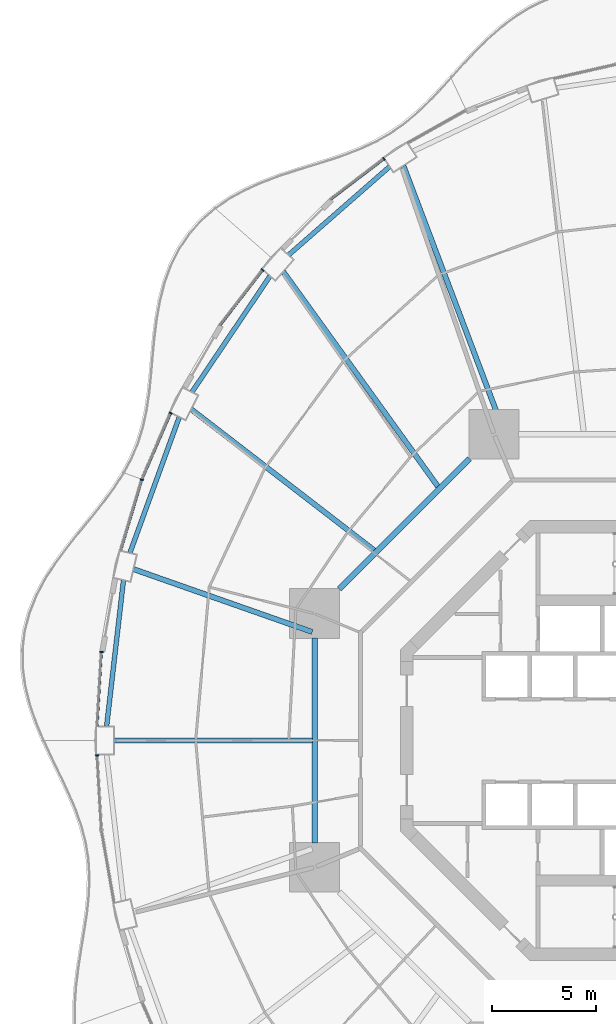
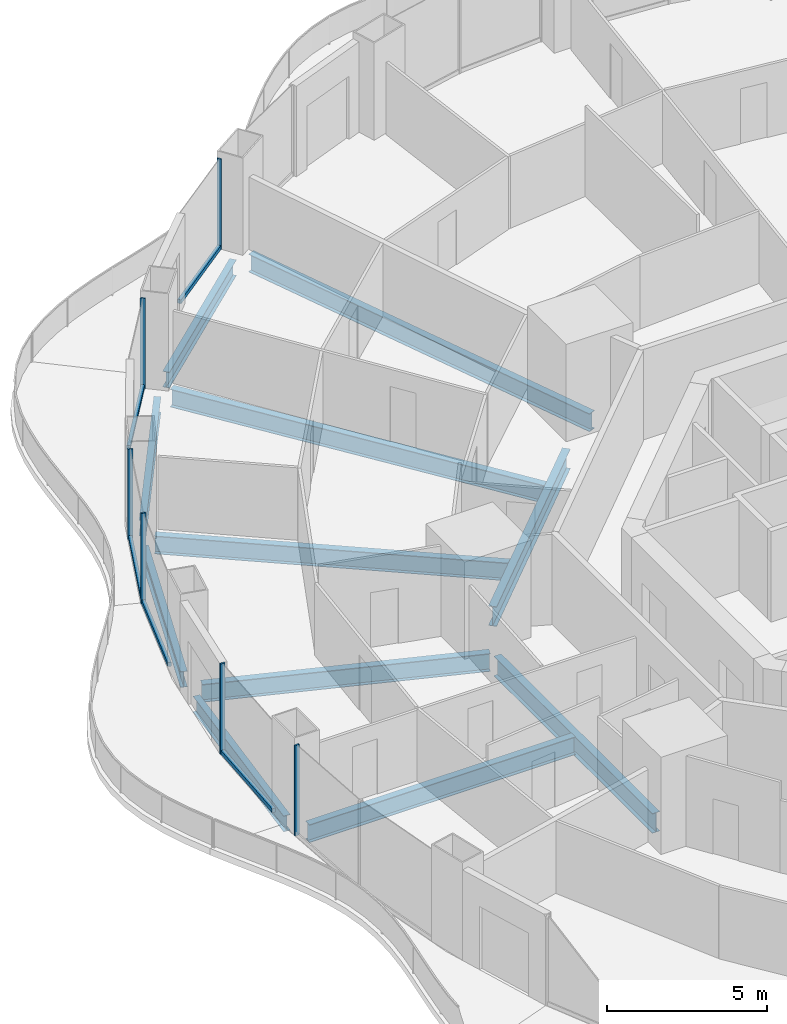
# One storey, part 6 of 21: 11 beams, 11 members, 6 elements without a shape of their own.
"""IFC4 building model written with IfcOpenShell, lengths in metres."""

from ifc_helpers import new_model, si_unit, direction, frame, origin, origin_2d, place, context, subcontext, project, spatial, rectangle, i_section, extrude, material, layer, layer_set, material_profile, profile_set, type_object, element, aggregate, save


model = new_model("IFC4")

# Units and contexts
model_context = context("Model", 3, precision=1e-05, world=origin(), true_north=direction((0.0, 1.0)))
body_context = subcontext(model_context, "Body", "Model", "MODEL_VIEW")
ifc_project = project(units=[si_unit("LENGTHUNIT", "METRE"), si_unit("AREAUNIT", "SQUARE_METRE"), si_unit("VOLUMEUNIT", "CUBIC_METRE"), si_unit("PLANEANGLEUNIT", "RADIAN"), si_unit("MASSUNIT", "GRAM", prefix="KILO")], contexts=[model_context])

# Site, building, storey
site_placement = place(None, origin())
site = spatial("IfcSite", under=ifc_project, at=site_placement, CompositionType="ELEMENT")
building_placement = place(site_placement, origin())
building = spatial("IfcBuilding", under=site, at=building_placement, Name="Nagisa Residences", CompositionType="ELEMENT")
storey_placement = place(building_placement, frame((0.0, 0.0, 60.300048828125)))
storey = spatial("IfcBuildingStorey", under=building, at=storey_placement, Name="L14", CompositionType="ELEMENT", Elevation=60.300048828125)

# Curtain wall, member
ifc_material_1 = material(Name="Concrete-coloured aluminium curtain wall system", Category="concrete")
ifc_layer = layer(ifc_material_1, 0.159912109375)
ifc_layer_set = layer_set([ifc_layer], Name="CW1 CURTAIN WALL")
curtain_wall_type = type_object("IfcCurtainWallType", Name="CW1 CURTAIN WALL", PredefinedType="NOTDEFINED", material=ifc_layer_set)
curtain_wall_1_placement = place(storey_placement, origin())
curtain_wall_1 = element("IfcCurtainWall", 1, at=curtain_wall_1_placement, inside=storey, type_object=curtain_wall_type, Name="cw:CW1:L14:16", PredefinedType="NOTDEFINED")
ifc_material_2 = material(Name="Concrete-coloured aluminium", Category="concrete")
ifc_material_profile_1 = material_profile(ifc_material_2, rectangle(XDim=0.159912109375, YDim=0.06005859375, at=origin_2d()), Name="CW1 MULLION 160x60")
ifc_profile_set_1 = profile_set([ifc_material_profile_1], Name="Concrete-coloured aluminium")
member_type_1 = type_object("IfcMemberType", Name="CW1 MULLION 160x60", PredefinedType="MULLION", material=ifc_profile_set_1)
member_1_placement = place(storey_placement, frame((-11.4326171875, 28.0732421875, 0.0), z_axis=(0.0, 0.0, 1.0), x_axis=(0.605255421737, -0.79603132756, 0.0)))
member_1 = element("IfcMember", 2, at=member_1_placement, type_object=member_type_1, Name="CW1 mullion", PredefinedType="MULLION", context=body_context, shape_type="SweptSolid", body=[
    extrude(rectangle(XDim=0.159912109375, YDim=0.06005859375, at=origin_2d()), origin(), (0.0, 0.0, 1.0), 3.43994140625),
])

curtain_wall_2_placement = place(storey_placement, origin())
curtain_wall_2 = element("IfcCurtainWall", 3, at=curtain_wall_2_placement, inside=storey, type_object=curtain_wall_type, Name="cw:CW1:L14:18", PredefinedType="NOTDEFINED")
member_2_placement = place(storey_placement, frame((-17.288330078125, 22.70751953125, 0.0), z_axis=(0.0, 0.0, 1.0), x_axis=(0.792070340816, -0.610429828235, 0.0)))
member_2 = element("IfcMember", 4, at=member_2_placement, type_object=member_type_1, Name="CW1 mullion", PredefinedType="MULLION", context=body_context, shape_type="SweptSolid", body=[
    extrude(rectangle(XDim=0.159912109375, YDim=0.06005859375, at=origin_2d()), origin(), (0.0, 0.0, 1.0), 3.43994140625),
])

curtain_wall_3_placement = place(storey_placement, origin())
curtain_wall_3 = element("IfcCurtainWall", 5, at=curtain_wall_3_placement, inside=storey, type_object=curtain_wall_type, Name="cw:CW1:L14:20", PredefinedType="NOTDEFINED")
member_3_placement = place(storey_placement, frame((-21.731689453125, 15.79833984375, 0.0), z_axis=(0.0, 0.0, 1.0), x_axis=(0.917543276295, -0.397635934147, 0.0)))
member_3 = element("IfcMember", 6, at=member_3_placement, type_object=member_type_1, Name="CW1 mullion", PredefinedType="MULLION", context=body_context, shape_type="SweptSolid", body=[
    extrude(rectangle(XDim=0.159912109375, YDim=0.06005859375, at=origin_2d()), origin(), (0.0, 0.0, 1.0), 3.43994140625),
])

curtain_wall_4_placement = place(storey_placement, origin())
curtain_wall_4 = element("IfcCurtainWall", 7, at=curtain_wall_4_placement, inside=storey, type_object=curtain_wall_type, Name="cw:CW1:L14:21", PredefinedType="NOTDEFINED")
member_4_placement = place(storey_placement, frame((-23.12451171875, 12.576904296875, 0.0), z_axis=(0.0, 0.0, 1.0), x_axis=(0.958271310082, -0.285860274038, 0.0)))
member_4 = element("IfcMember", 8, at=member_4_placement, type_object=member_type_1, Name="CW1 mullion", PredefinedType="MULLION", context=body_context, shape_type="SweptSolid", body=[
    extrude(rectangle(XDim=0.159912109375, YDim=0.06005859375, at=origin_2d()), origin(), (0.0, 0.0, 1.0), 3.43994140625),
])

curtain_wall_5_placement = place(storey_placement, origin())
curtain_wall_5 = element("IfcCurtainWall", 9, at=curtain_wall_5_placement, inside=storey, type_object=curtain_wall_type, Name="cw:CW1:L14:23", PredefinedType="NOTDEFINED")
member_5_placement = place(storey_placement, frame((-25.07373046875, 4.272705078125, 0.0), z_axis=(0.0, 0.0, 1.0), x_axis=(0.998345305184, -0.057503492216, 0.0)))
member_5 = element("IfcMember", 10, at=member_5_placement, type_object=member_type_1, Name="CW1 mullion", PredefinedType="MULLION", context=body_context, shape_type="SweptSolid", body=[
    extrude(rectangle(XDim=0.159912109375, YDim=0.06005859375, at=origin_2d()), origin(), (0.0, 0.0, 1.0), 3.43994140625),
])

curtain_wall_6_placement = place(storey_placement, origin())
curtain_wall_6 = element("IfcCurtainWall", 11, at=curtain_wall_6_placement, inside=storey, type_object=curtain_wall_type, Name="cw:CW1:L14:24", PredefinedType="NOTDEFINED")
member_6_placement = place(storey_placement, frame((-25.278076171875, -0.72412109375, 0.0), z_axis=(0.0, 0.0, 1.0), x_axis=(0.998345305184, 0.057503492216, 0.0)))
member_6 = element("IfcMember", 12, at=member_6_placement, type_object=member_type_1, Name="CW1 mullion", PredefinedType="MULLION", context=body_context, shape_type="SweptSolid", body=[
    extrude(rectangle(XDim=0.159912109375, YDim=0.06005859375, at=origin_2d()), origin(), (0.0, 0.0, 1.0), 3.43994140625),
])
aggregate(curtain_wall_6, [member_6])

# Member
ifc_material_3 = material(Name="Concrete-coloured aluminium", Category="concrete")
ifc_material_profile_2 = material_profile(ifc_material_3, rectangle(XDim=0.1201171875, YDim=0.14990234375, at=origin_2d()), Name="CW1 TRANSOM 120x150")
ifc_profile_set_2 = profile_set([ifc_material_profile_2], Name="Concrete-coloured aluminium")
member_type_2 = type_object("IfcMemberType", Name="CW1 TRANSOM 120x150", PredefinedType="USERDEFINED", material=ifc_profile_set_2)
member_7_placement = place(storey_placement, frame((-11.40869140625, 28.091552734375, 0.074951171875), z_axis=(-0.796022293214, -0.605267303517, 0.0), x_axis=(0.605267303517, -0.796022293214, 0.0)))
member_7 = element("IfcMember", 13, at=member_7_placement, type_object=member_type_2, Name="CW1 transom", ObjectType="TRANSOM", PredefinedType="USERDEFINED", context=body_context, shape_type="SweptSolid", body=[
    extrude(rectangle(XDim=0.1201171875, YDim=0.14990234375, at=origin_2d()), origin(), (0.0, 0.0, 1.0), 3.262451171875),
])

aggregate(curtain_wall_1, [member_1, member_7])

member_8_placement = place(storey_placement, frame((-17.27001953125, 22.731201171875, 0.074951171875), z_axis=(-0.610457147657, -0.792049285635, 0.0), x_axis=(0.792049285635, -0.610457147657, 0.0)))
member_8 = element("IfcMember", 14, at=member_8_placement, type_object=member_type_2, Name="CW1 transom", ObjectType="TRANSOM", PredefinedType="USERDEFINED", context=body_context, shape_type="SweptSolid", body=[
    extrude(rectangle(XDim=0.1201171875, YDim=0.14990234375, at=origin_2d()), origin(), (0.0, 0.0, 1.0), 3.3974609375),
])

aggregate(curtain_wall_2, [member_2, member_8])

member_9_placement = place(storey_placement, frame((-21.7197265625, 15.825927734375, 0.074951171875), z_axis=(-0.397624958345, -0.917548032803, 0.0), x_axis=(0.917548032803, -0.397624958345, 0.0)))
member_9 = element("IfcMember", 15, at=member_9_placement, type_object=member_type_2, Name="CW1 transom", ObjectType="TRANSOM", PredefinedType="USERDEFINED", context=body_context, shape_type="SweptSolid", body=[
    extrude(rectangle(XDim=0.1201171875, YDim=0.14990234375, at=origin_2d()), origin(), (0.0, 0.0, 1.0), 3.51953125),
])

aggregate(curtain_wall_3, [member_3, member_9])

member_10_placement = place(storey_placement, frame((-23.115966796875, 12.605712890625, 0.074951171875), z_axis=(-0.285808431121, -0.958286773727, 0.0), x_axis=(0.958286773727, -0.285808431121, 0.0)))
member_10 = element("IfcMember", 16, at=member_10_placement, type_object=member_type_2, Name="CW1 transom", ObjectType="TRANSOM", PredefinedType="USERDEFINED", context=body_context, shape_type="SweptSolid", body=[
    extrude(rectangle(XDim=0.1201171875, YDim=0.14990234375, at=origin_2d()), origin(), (0.0, 0.0, 1.0), 3.5654296875),
])

aggregate(curtain_wall_4, [member_4, member_10])

member_11_placement = place(storey_placement, frame((-25.072021484375, 4.302734375, 0.074951171875), z_axis=(-0.057482603412, -0.998346508135, 0.0), x_axis=(0.998346508135, -0.057482603412, 0.0)))
member_11 = element("IfcMember", 17, at=member_11_placement, type_object=member_type_2, Name="CW1 transom", ObjectType="TRANSOM", PredefinedType="USERDEFINED", context=body_context, shape_type="SweptSolid", body=[
    extrude(rectangle(XDim=0.1201171875, YDim=0.14990234375, at=origin_2d()), origin(), (0.0, 0.0, 1.0), 3.6142578125),
])

aggregate(curtain_wall_5, [member_5, member_11])

# Beams
ifc_material_4 = material(Name="Steel ASTM A572 Gr 50", Category="steel")
ifc_material_profile_3 = material_profile(ifc_material_4, i_section(OverallWidth=0.264892578125, OverallDepth=0.7529296875, WebThickness=0.01318359375, FlangeThickness=0.01708984375, at=origin_2d()), Name="W760x147")
ifc_profile_set_3 = profile_set([ifc_material_profile_3], Name="Steel ASTM A572 Gr 50")
beam_type_1 = type_object("IfcBeamType", Name="Inner ring beam W760x147", PredefinedType="BEAM", material=ifc_profile_set_3)
beam_1_placement = place(storey_placement, frame((-7.308837890625, 13.59619140625, -0.636474609375), z_axis=(-0.707106781187, -0.707106781187, 0.0), x_axis=(0.707106781187, -0.707106781187, 0.0)))
element("IfcBeam", 18, at=beam_1_placement, inside=storey, type_object=beam_type_1, Name="beam:L14:ib3", PredefinedType="BEAM", context=body_context, shape_type="SweptSolid", body=[
    extrude(i_section(OverallWidth=0.264892578125, OverallDepth=0.7529296875, WebThickness=0.01318359375, FlangeThickness=0.01708984375, at=origin_2d()), origin(), (0.0, 0.0, 1.0), 8.8916015625),
])
beam_2_placement = place(storey_placement, frame((-14.781982421875, 4.94287109375, -0.636474609375), z_axis=(0.0, -1.0, 0.0), x_axis=(1.0, 0.0, 0.0)))
element("IfcBeam", 19, at=beam_2_placement, inside=storey, type_object=beam_type_1, Name="beam:L14:ib4", PredefinedType="BEAM", context=body_context, shape_type="SweptSolid", body=[
    extrude(i_section(OverallWidth=0.264892578125, OverallDepth=0.7529296875, WebThickness=0.01318359375, FlangeThickness=0.01708984375, at=origin_2d()), origin(), (0.0, 0.0, 1.0), 9.8857421875),
])
ifc_material_5 = material(Name="Steel ASTM A572 Gr 50", Category="steel")
ifc_material_profile_4 = material_profile(ifc_material_5, i_section(OverallWidth=0.22802734375, OverallDepth=0.60302734375, WebThickness=0.010498046875, FlangeThickness=0.014892578125, at=origin_2d()), Name="W610x101")
ifc_profile_set_4 = profile_set([ifc_material_profile_4], Name="Steel ASTM A572 Gr 50")
beam_type_2 = type_object("IfcBeamType", Name="Perimeter ring beam W610x101", PredefinedType="BEAM", material=ifc_profile_set_4)
beam_3_placement = place(storey_placement, frame((-11.166748046875, 27.693603515625, -0.5615234375), z_axis=(-0.752574357292, -0.658507279191, 0.0), x_axis=(0.658507279191, -0.752574357292, 0.0)))
element("IfcBeam", 20, at=beam_3_placement, inside=storey, type_object=beam_type_2, Name="beam:L14:pb09", PredefinedType="BEAM", context=body_context, shape_type="SweptSolid", body=[
    extrude(i_section(OverallWidth=0.22802734375, OverallDepth=0.60302734375, WebThickness=0.010498046875, FlangeThickness=0.014892578125, at=origin_2d()), origin(), (0.0, 0.0, 1.0), 6.47021484375),
])
beam_4_placement = place(storey_placement, frame((-16.935302734375, 22.411865234375, -0.5615234375), z_axis=(-0.558296806041, -0.829641293792, 0.0), x_axis=(0.829641293792, -0.558296806041, 0.0)))
element("IfcBeam", 21, at=beam_4_placement, inside=storey, type_object=beam_type_2, Name="beam:L14:pb10", PredefinedType="BEAM", context=body_context, shape_type="SweptSolid", body=[
    extrude(i_section(OverallWidth=0.22802734375, OverallDepth=0.60302734375, WebThickness=0.010498046875, FlangeThickness=0.014892578125, at=origin_2d()), origin(), (0.0, 0.0, 1.0), 6.74169921875),
])
beam_5_placement = place(storey_placement, frame((-21.315673828125, 15.60595703125, -0.5615234375), z_axis=(-0.341411143183, -0.939914055279, 0.0), x_axis=(0.939914055279, -0.341411143183, 0.0)))
element("IfcBeam", 22, at=beam_5_placement, inside=storey, type_object=beam_type_2, Name="beam:L14:pb11", PredefinedType="BEAM", context=body_context, shape_type="SweptSolid", body=[
    extrude(i_section(OverallWidth=0.22802734375, OverallDepth=0.60302734375, WebThickness=0.010498046875, FlangeThickness=0.014892578125, at=origin_2d()), origin(), (0.0, 0.0, 1.0), 6.96923828125),
])
beam_6_placement = place(storey_placement, frame((-24.00732421875, 7.7314453125, -0.5615234375), z_axis=(-0.114707660057, -0.993399291687, 0.0), x_axis=(0.993399291687, -0.114707660057, 0.0)))
element("IfcBeam", 23, at=beam_6_placement, inside=storey, type_object=beam_type_2, Name="beam:L14:pb12", PredefinedType="BEAM", context=body_context, shape_type="SweptSolid", body=[
    extrude(i_section(OverallWidth=0.22802734375, OverallDepth=0.60302734375, WebThickness=0.010498046875, FlangeThickness=0.014892578125, at=origin_2d()), origin(), (0.0, 0.0, 1.0), 7.09814453125),
])
ifc_material_6 = material(Name="Steel ASTM A572 Gr 50", Category="steel")
ifc_material_profile_5 = material_profile(ifc_material_6, i_section(OverallWidth=0.25390625, OverallDepth=0.68408203125, WebThickness=0.012451171875, FlangeThickness=0.018798828125, at=origin_2d()), Name="W690x140")
ifc_profile_set_5 = profile_set([ifc_material_profile_5], Name="Steel ASTM A572 Gr 50")
beam_type_3 = type_object("IfcBeamType", Name="Radial beam W690x140", PredefinedType="BEAM", material=ifc_profile_set_5)
beam_7_placement = place(storey_placement, frame((-10.493896484375, 27.7333984375, -0.60205078125), z_axis=(0.353887892206, -0.935287848606, 0.0), x_axis=(0.935287848606, 0.353887892206, 0.0)))
element("IfcBeam", 24, at=beam_7_placement, inside=storey, type_object=beam_type_3, Name="beam:L14:rb09", PredefinedType="BEAM", context=body_context, shape_type="SweptSolid", body=[
    extrude(i_section(OverallWidth=0.25390625, OverallDepth=0.68408203125, WebThickness=0.012451171875, FlangeThickness=0.018798828125, at=origin_2d()), origin(), (0.0, 0.0, 1.0), 13.725830078125),
])
beam_8_placement = place(storey_placement, frame((-16.29443359375, 22.62255859375, -0.60205078125), z_axis=(0.58445507622, -0.811426068031, 0.0), x_axis=(0.811426068031, 0.58445507622, 0.0)))
element("IfcBeam", 25, at=beam_8_placement, inside=storey, type_object=beam_type_3, Name="beam:L14:rb10", PredefinedType="BEAM", context=body_context, shape_type="SweptSolid", body=[
    extrude(i_section(OverallWidth=0.25390625, OverallDepth=0.68408203125, WebThickness=0.012451171875, FlangeThickness=0.018798828125, at=origin_2d()), origin(), (0.0, 0.0, 1.0), 12.78955078125),
])
beam_9_placement = place(storey_placement, frame((-20.73486328125, 15.982666015625, -0.60205078125), z_axis=(0.792016146736, -0.610500141941, 0.0), x_axis=(0.610500141941, 0.792016146736, 0.0)))
element("IfcBeam", 26, at=beam_9_placement, inside=storey, type_object=beam_type_3, Name="beam:L14:rb11", PredefinedType="BEAM", context=body_context, shape_type="SweptSolid", body=[
    extrude(i_section(OverallWidth=0.25390625, OverallDepth=0.68408203125, WebThickness=0.012451171875, FlangeThickness=0.018798828125, at=origin_2d()), origin(), (0.0, 0.0, 1.0), 11.160888671875),
])
beam_10_placement = place(storey_placement, frame((-23.520751953125, 8.26806640625, -0.60205078125), z_axis=(0.943414535235, -0.331615763659, 0.0), x_axis=(0.331615763659, 0.943414535235, 0.0)))
element("IfcBeam", 27, at=beam_10_placement, inside=storey, type_object=beam_type_3, Name="beam:L14:rb12", PredefinedType="BEAM", context=body_context, shape_type="SweptSolid", body=[
    extrude(i_section(OverallWidth=0.25390625, OverallDepth=0.68408203125, WebThickness=0.012451171875, FlangeThickness=0.018798828125, at=origin_2d()), origin(), (0.0, 0.0, 1.0), 9.142333984375),
])
beam_11_placement = place(storey_placement, frame((-24.469970703125, 0.0, -0.60205078125), z_axis=(1.0, 0.0, 0.0), x_axis=(0.0, 1.0, 0.0)))
element("IfcBeam", 28, at=beam_11_placement, inside=storey, type_object=beam_type_3, Name="beam:L14:rb13", PredefinedType="BEAM", context=body_context, shape_type="SweptSolid", body=[
    extrude(i_section(OverallWidth=0.25390625, OverallDepth=0.68408203125, WebThickness=0.012451171875, FlangeThickness=0.018798828125, at=origin_2d()), origin(), (0.0, 0.0, 1.0), 9.575439453125),
])

save(model, "model.ifc")
